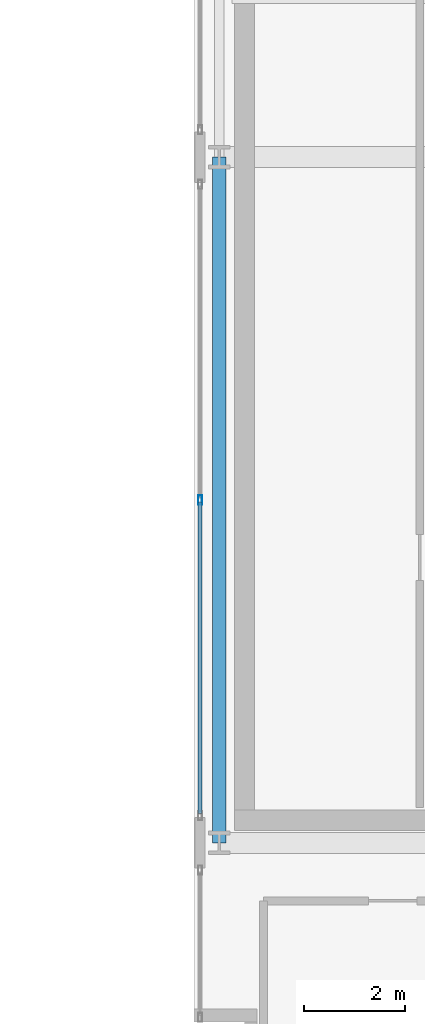
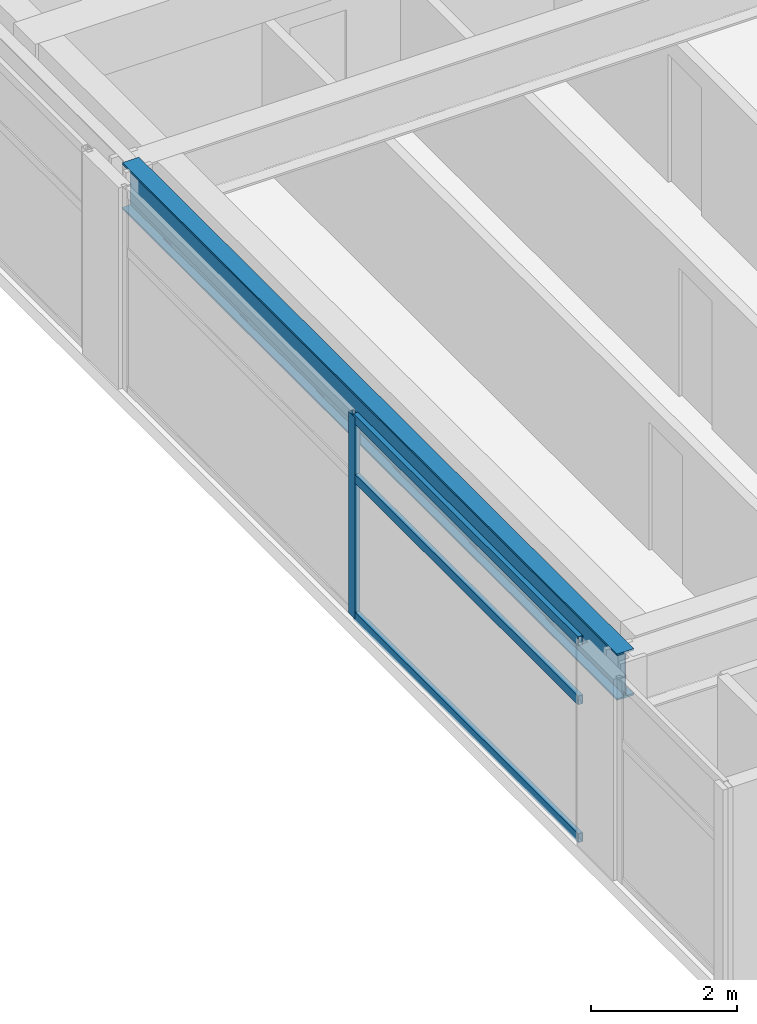
# One storey, part 9 of 25: 4 members, 1 beam, 1 element without a shape of its own.
"""IFC4 building model written with IfcOpenShell, lengths in metres."""

import ifcopenshell
import ifcopenshell.guid

model = None  # the IFC model being written
_history = None  # IfcOwnerHistory: only IFC2X3 demands one
_inside = {}  # id of a spatial element -> (the spatial element, [elements in it])
_under = {}  # id of a project, library or spatial element -> (it, [spatial elements below it])
_declared = {}  # id of a project -> (the project, [libraries it declares])
_typed = {}  # id of a type object -> (the type object, [elements of that type])
_made_of = {}  # id of a material, layer set ... -> (it, [elements and type objects made of it])


def new_model(schema):
    """Start an empty IFC model of exactly this schema.

    Asked for "IFC4X3", IfcOpenShell would pick the latest addendum, in which some entities
    have other attributes; the version numbers below select the first issue.
    IFC2X3 requires an IfcOwnerHistory on every rooted entity: one is made here for all.
    """
    global model, _history
    if schema == "IFC4X3":
        model = ifcopenshell.file(schema_version=(4, 3, 0, 0))
    else:
        model = ifcopenshell.file(schema=schema)
    _inside.clear()
    _under.clear()
    _declared.clear()
    _typed.clear()
    _made_of.clear()
    _history = None
    if model.schema == "IFC2X3":
        org = make("IfcOrganization", Name="unknown")
        user = make(
            "IfcPersonAndOrganization",
            ThePerson=make("IfcPerson", FamilyName="unknown"),
            TheOrganization=org,
        )
        app = make(
            "IfcApplication",
            ApplicationDeveloper=org,
            Version="unknown",
            ApplicationFullName="unknown",
            ApplicationIdentifier="unknown",
        )
        _history = make(
            "IfcOwnerHistory",
            OwningUser=user,
            OwningApplication=app,
            ChangeAction="ADDED",
            CreationDate=0,
        )
    return model


def make(cls, **values):
    """One entity of the class cls with the attributes given. An attribute that is None is left unset."""
    return model.create_entity(
        cls, **{name: value for name, value in values.items() if value is not None}
    )


def rooted(cls, **values):
    """An entity with a GlobalId (a new one), such as an element, a storey or a relation."""
    return make(cls, GlobalId=ifcopenshell.guid.new(), OwnerHistory=_history, **values)


def si_unit(unit_type, name, prefix=None):
    """IfcSIUnit, for example si_unit("LENGTHUNIT", "METRE", prefix="MILLI")."""
    return make("IfcSIUnit", UnitType=unit_type, Prefix=prefix, Name=name)


def assignment(units):
    """IfcUnitAssignment: the units of a project."""
    return None if units is None else make("IfcUnitAssignment", Units=units)


def point(xyz):
    """IfcCartesianPoint."""
    return None if xyz is None else make("IfcCartesianPoint", Coordinates=xyz)


def direction(xyz):
    """IfcDirection."""
    return None if xyz is None else make("IfcDirection", DirectionRatios=xyz)


def frame(location, z_axis=None, x_axis=None):
    """IfcAxis2Placement3D, a coordinate frame: its origin and axes. An axis left out is left unset."""
    return make(
        "IfcAxis2Placement3D",
        Location=point(location),
        Axis=direction(z_axis),
        RefDirection=direction(x_axis),
    )


def frame_2d(location, x_axis=None):
    """IfcAxis2Placement2D, a coordinate frame in the plane: its origin and x axis."""
    return make(
        "IfcAxis2Placement2D", Location=point(location), RefDirection=direction(x_axis)
    )


def origin():
    """The frame at (0, 0, 0) with its axes left unset."""
    return frame((0.0, 0.0, 0.0))


def origin_2d():
    """The frame at (0, 0) in the plane with its x axis left unset."""
    return frame_2d((0.0, 0.0))


def place(relative_to, where):
    """IfcLocalPlacement: puts the frame where relative to a parent placement (None: the world)."""
    return make(
        "IfcLocalPlacement", PlacementRelTo=relative_to, RelativePlacement=where
    )


def context(
    kind, dimensions, precision=None, world=None, true_north=None, identifier=None
):
    """IfcGeometricRepresentationContext, for example the 3D "Model" context."""
    return make(
        "IfcGeometricRepresentationContext",
        ContextIdentifier=identifier,
        ContextType=kind,
        CoordinateSpaceDimension=dimensions,
        Precision=precision,
        WorldCoordinateSystem=world,
        TrueNorth=true_north,
    )


def subcontext(parent, identifier, kind, view, scale=None):
    """IfcGeometricRepresentationSubContext, for example "Body" below "Model"."""
    return make(
        "IfcGeometricRepresentationSubContext",
        ContextIdentifier=identifier,
        ContextType=kind,
        ParentContext=parent,
        TargetScale=scale,
        TargetView=view,
    )


def project(units=None, contexts=None):
    """IfcProject with its units and contexts."""
    return rooted(
        "IfcProject",
        Name="project",
        RepresentationContexts=contexts,
        UnitsInContext=assignment(units),
    )


def spatial(cls, under=None, at=None, **own):
    """A site, building, storey or space (cls), placed at a placement, below another one or the project."""
    s = rooted(cls, ObjectPlacement=at, **own)
    if under is not None:
        _under.setdefault(under.id(), (under, []))[1].append(s)
    return s


def profile(cls, at=None, kind="AREA", **sizes):
    """A parametric profile (cls). Its sizes go by their IFC names, for example OverallWidth=200.0."""
    return make(cls, ProfileType=kind, Position=at, **sizes)


def hollow_rectangle(**sizes):
    """IfcRectangleHollowProfileDef."""
    return profile("IfcRectangleHollowProfileDef", **sizes)


def i_section(**sizes):
    """IfcIShapeProfileDef."""
    return profile("IfcIShapeProfileDef", **sizes)


def extrude(swept, where, along, depth):
    """IfcExtrudedAreaSolid: the profile swept, set in the frame where, extruded along a direction by depth."""
    return make(
        "IfcExtrudedAreaSolid",
        SweptArea=swept,
        Position=where,
        ExtrudedDirection=direction(along),
        Depth=depth,
    )


def shape(context_of_items, identifier, shape_type, items):
    """IfcShapeRepresentation: the items that make up one representation, for example the "Body"."""
    return make(
        "IfcShapeRepresentation",
        ContextOfItems=context_of_items,
        RepresentationIdentifier=identifier,
        RepresentationType=shape_type,
        Items=items,
    )


def source(mapping_origin, context_of_items, identifier, shape_type, items):
    """IfcRepresentationMap: a shape defined once, which mapped items show again and again."""
    return make(
        "IfcRepresentationMap",
        MappingOrigin=mapping_origin,
        MappedRepresentation=shape(context_of_items, identifier, shape_type, items),
    )


def transform(
    local_origin,
    x_axis=None,
    y_axis=None,
    z_axis=None,
    scale=None,
    scale2=None,
    scale3=None,
    uniform=True,
):
    """IfcCartesianTransformationOperator3D, or its non-uniform kind. x_axis, y_axis, z_axis: its Axis1, 2, 3."""
    if uniform:
        return make(
            "IfcCartesianTransformationOperator3D",
            Axis1=direction(x_axis),
            Axis2=direction(y_axis),
            LocalOrigin=point(local_origin),
            Scale=scale,
            Axis3=direction(z_axis),
        )
    return make(
        "IfcCartesianTransformationOperator3DnonUniform",
        Axis1=direction(x_axis),
        Axis2=direction(y_axis),
        LocalOrigin=point(local_origin),
        Scale=scale,
        Axis3=direction(z_axis),
        Scale2=scale2,
        Scale3=scale3,
    )


def mapped(mapping_source, mapping_target):
    """IfcMappedItem: shows the shape of a source again, moved by a transform."""
    return make(
        "IfcMappedItem", MappingSource=mapping_source, MappingTarget=mapping_target
    )


def material(Name=None, Category=None):
    """IfcMaterial."""
    return make("IfcMaterial", Name=Name, Category=Category)


def layer(
    of_material, thickness, ventilated=None, Name=None, Category=None, Priority=None
):
    """IfcMaterialLayer: one layer of a wall or slab, of a material (None: an air gap)."""
    return make(
        "IfcMaterialLayer",
        Material=of_material,
        LayerThickness=thickness,
        IsVentilated=ventilated,
        Name=Name,
        Category=Category,
        Priority=Priority,
    )


def layer_set(layers, Name=None):
    """IfcMaterialLayerSet."""
    return make("IfcMaterialLayerSet", MaterialLayers=layers, LayerSetName=Name)


def material_profile(
    of_material, cross_section, Name=None, Category=None, Priority=None
):
    """IfcMaterialProfile: a cross section and its material."""
    return make(
        "IfcMaterialProfile",
        Name=Name,
        Material=of_material,
        Profile=cross_section,
        Priority=Priority,
        Category=Category,
    )


def profile_set(profiles, Name=None, composite=None):
    """IfcMaterialProfileSet."""
    return make(
        "IfcMaterialProfileSet",
        Name=Name,
        MaterialProfiles=profiles,
        CompositeProfile=composite,
    )


def made_of(thing, what):
    """Note that an element or type object is made of a material, layer set ...; save() writes the relation."""
    if what is not None:
        _made_of.setdefault(what.id(), (what, []))[1].append(thing)
    return thing


def type_object(cls, material=None, **own):
    """A type object (cls), such as IfcWallType, which elements share."""
    return made_of(rooted(cls, **own), material)


def element(
    cls,
    number,
    at=None,
    inside=None,
    cuts=None,
    type_object=None,
    material=None,
    context=None,
    identifier="Body",
    shape_type=None,
    held_by="IfcProductDefinitionShape",
    body=None,
    shapes=None,
    **own,
):
    """One element of the class cls, such as IfcWall. Its Tag is "e" and its number.

    at: its placement. inside: the storey or other place that contains it. cuts: it is an
    opening in that element (IfcRelVoidsElement). A single representation is given by context,
    identifier, shape_type and body (its items); several are given by shapes. held_by: the class
    of the entity that holds the representations. save() writes the other relations.
    """
    e = rooted(cls, Tag="e%d" % number, ObjectPlacement=at, **own)
    if body is not None:
        shapes = [shape(context, identifier, shape_type, body)]
    if shapes is not None:
        e.Representation = make(held_by, Representations=shapes)
    if inside is not None:
        _inside.setdefault(inside.id(), (inside, []))[1].append(e)
    if cuts is not None:
        rooted(
            "IfcRelVoidsElement", RelatingBuildingElement=cuts, RelatedOpeningElement=e
        )
    if type_object is not None:
        _typed.setdefault(type_object.id(), (type_object, []))[1].append(e)
    return made_of(e, material)


def aggregate(whole, parts):
    """IfcRelAggregates: a whole, such as a stair, and the parts it consists of."""
    return rooted("IfcRelAggregates", RelatingObject=whole, RelatedObjects=parts)


def save(model, path):
    """Write the relations noted so far, then the file.

    IfcRelAggregates (storeys below a building ...), IfcRelContainedInSpatialStructure (elements
    in a storey), IfcRelDefinesByType, IfcRelAssociatesMaterial and IfcRelDeclares: one each for
    every whole, place, type object, material and project.
    """
    for whole, parts in _under.values():
        aggregate(whole, parts)
    for where, things in _inside.values():
        rooted(
            "IfcRelContainedInSpatialStructure",
            RelatedElements=things,
            RelatingStructure=where,
        )
    for kind, things in _typed.values():
        rooted("IfcRelDefinesByType", RelatedObjects=things, RelatingType=kind)
    for what, things in _made_of.values():
        rooted("IfcRelAssociatesMaterial", RelatedObjects=things, RelatingMaterial=what)
    for by, libraries in _declared.values():
        rooted("IfcRelDeclares", RelatingContext=by, RelatedDefinitions=libraries)
    model.write(path)


model = new_model("IFC4")

# Units and contexts
model_context = context("Model", 3, precision=1e-05, world=origin(), true_north=direction((0.0, 1.0)))
body_context = subcontext(model_context, "Body", "Model", "MODEL_VIEW")
ifc_project = project(units=[si_unit("LENGTHUNIT", "METRE"), si_unit("AREAUNIT", "SQUARE_METRE"), si_unit("VOLUMEUNIT", "CUBIC_METRE"), si_unit("PLANEANGLEUNIT", "RADIAN"), si_unit("MASSUNIT", "GRAM", prefix="KILO")], contexts=[model_context])

# Site, building, storey
site_placement = place(None, origin())
site = spatial("IfcSite", under=ifc_project, at=site_placement, CompositionType="ELEMENT")
building_placement = place(site_placement, origin())
building = spatial("IfcBuilding", under=site, at=building_placement, Name="Ocotamira Hotel", CompositionType="ELEMENT")
storey_placement = place(building_placement, frame((0.0, 0.0, 258.0)))
storey = spatial("IfcBuildingStorey", under=building, at=storey_placement, Name="L65", CompositionType="ELEMENT", Elevation=258.0)

# Beam
ifc_material_1 = material(Name="Steel ASTM A992 Grade 50", Category="steel")
ifc_material_profile_1 = material_profile(ifc_material_1, i_section(OverallWidth=0.26611328125, OverallDepth=0.779052734375, WebThickness=0.0166015625, FlangeThickness=0.030029296875, FilletRadius=0.01806640625, at=origin_2d()), Name="W30X148")
ifc_profile_set_1 = profile_set([ifc_material_profile_1], Name="Steel ASTM A992 Grade 50")
beam_type = type_object("IfcBeamType", Name="BM-GIRD-W30X148", PredefinedType="BEAM", material=ifc_profile_set_1)
shared_shape_1 = source(origin(), body_context, "Body", "SweptSolid", [
    extrude(i_section(OverallWidth=0.26611328125, OverallDepth=0.779052734375, WebThickness=0.0166015625, FlangeThickness=0.030029296875, FilletRadius=0.01806640625, at=origin_2d()), origin(), (0.0, 0.0, 1.0), 13.599853515625),
])
beam_placement = place(storey_placement, frame((40.5, 14.550048828125, 2.990478515625), z_axis=(0.0, 1.0, 0.0), x_axis=(-1.0, 0.0, 0.0)))
element("IfcBeam", 1, at=beam_placement, inside=storey, type_object=beam_type, Name="L65 Beam X40.5 Y14.55-28.15", PredefinedType="BEAM", context=body_context, shape_type="MappedRepresentation", body=[
    mapped(shared_shape_1, transform((0.0, 0.0, 0.0), scale=1.0)),
])

# Curtain wall, members
ifc_material_2 = material(Name="Anodised pale-metal aluminium and solar glass", Category="aluminium")
ifc_layer = layer(ifc_material_2, 0.2099609375)
ifc_layer_set = layer_set([ifc_layer], Name="Anodised pale-metal aluminium and solar glass")
curtain_wall_type = type_object("IfcCurtainWallType", Name="CW-SYS7-PEAK", PredefinedType="NOTDEFINED", material=ifc_layer_set)
curtain_wall_placement = place(storey_placement, origin())
curtain_wall = element("IfcCurtainWall", 2, at=curtain_wall_placement, inside=storey, type_object=curtain_wall_type, Name="L65 Curtain Wall CW-7 CW-L65-EI2", PredefinedType="NOTDEFINED")
ifc_material_3 = material(Name="Anodised pale-metal aluminium 6063-T6", Category="aluminium")
ifc_material_profile_2 = material_profile(ifc_material_3, hollow_rectangle(XDim=0.080078125, YDim=0.179931640625, WallThickness=0.006103515625, at=origin_2d()), Name="HSS180X80X6")
ifc_profile_set_2 = profile_set([ifc_material_profile_2], Name="Anodised pale-metal aluminium 6063-T6")
member_type_1 = type_object("IfcMemberType", Name="CWM-180X75", PredefinedType="MULLION", material=ifc_profile_set_2)
shared_shape_2 = source(origin(), body_context, "Body", "SweptSolid", [
    extrude(hollow_rectangle(XDim=0.080078125, YDim=0.179931640625, WallThickness=0.006103515625, at=origin_2d()), origin(), (0.0, 0.0, 1.0), 3.3798828125),
])
member_1_placement = place(storey_placement, frame((40.1201171875, 21.35009765625, 0.0), z_axis=(0.0, 0.0, 1.0), x_axis=(-1.0, 0.0, 0.0)))
member_1 = element("IfcMember", 3, at=member_1_placement, type_object=member_type_1, Name="CW-7 mullion 2", PredefinedType="MULLION", context=body_context, shape_type="MappedRepresentation", body=[
    mapped(shared_shape_2, transform((0.0, 0.0, 0.0), scale=1.0)),
])
ifc_material_profile_3 = material_profile(ifc_material_3, hollow_rectangle(XDim=0.074951171875, YDim=0.14990234375, WallThickness=0.006103515625, at=origin_2d()), Name="HSS150X75X6")
ifc_profile_set_3 = profile_set([ifc_material_profile_3], Name="Anodised pale-metal aluminium 6063-T6")
member_type_2 = type_object("IfcMemberType", Name="CWT-150X75", PredefinedType="USERDEFINED", material=ifc_profile_set_3)
shared_shape_3 = source(origin(), body_context, "Body", "SweptSolid", [
    extrude(hollow_rectangle(XDim=0.074951171875, YDim=0.14990234375, WallThickness=0.006103515625, at=origin_2d()), origin(), (0.0, 0.0, 1.0), 6.18017578125),
])
member_2_placement = place(storey_placement, frame((40.1201171875, 15.1298828125, 0.03759765625), z_axis=(0.0, 1.0, 0.0), x_axis=(-1.0, 0.0, 0.0)))
member_2 = element("IfcMember", 4, at=member_2_placement, type_object=member_type_2, Name="CW-7 transom 1.1", ObjectType="TRANSOM", PredefinedType="USERDEFINED", context=body_context, shape_type="MappedRepresentation", body=[
    mapped(shared_shape_3, transform((0.0, 0.0, 0.0), scale=1.0)),
])
member_3_placement = place(storey_placement, frame((40.1201171875, 15.1298828125, 2.35009765625), z_axis=(0.0, 1.0, 0.0), x_axis=(-1.0, 0.0, 0.0)))
member_3 = element("IfcMember", 5, at=member_3_placement, type_object=member_type_2, Name="CW-7 transom 1.2", ObjectType="TRANSOM", PredefinedType="USERDEFINED", context=body_context, shape_type="MappedRepresentation", body=[
    mapped(shared_shape_3, transform((0.0, 0.0, 0.0), scale=1.0)),
])
member_4_placement = place(storey_placement, frame((40.1201171875, 15.1298828125, 3.342529296875), z_axis=(0.0, 1.0, 0.0), x_axis=(-1.0, 0.0, 0.0)))
member_4 = element("IfcMember", 6, at=member_4_placement, type_object=member_type_2, Name="CW-7 transom 1.3", ObjectType="TRANSOM", PredefinedType="USERDEFINED", context=body_context, shape_type="MappedRepresentation", body=[
    mapped(shared_shape_3, transform((0.0, 0.0, 0.0), scale=1.0)),
])
aggregate(curtain_wall, [member_1, member_2, member_3, member_4])

save(model, "model.ifc")
